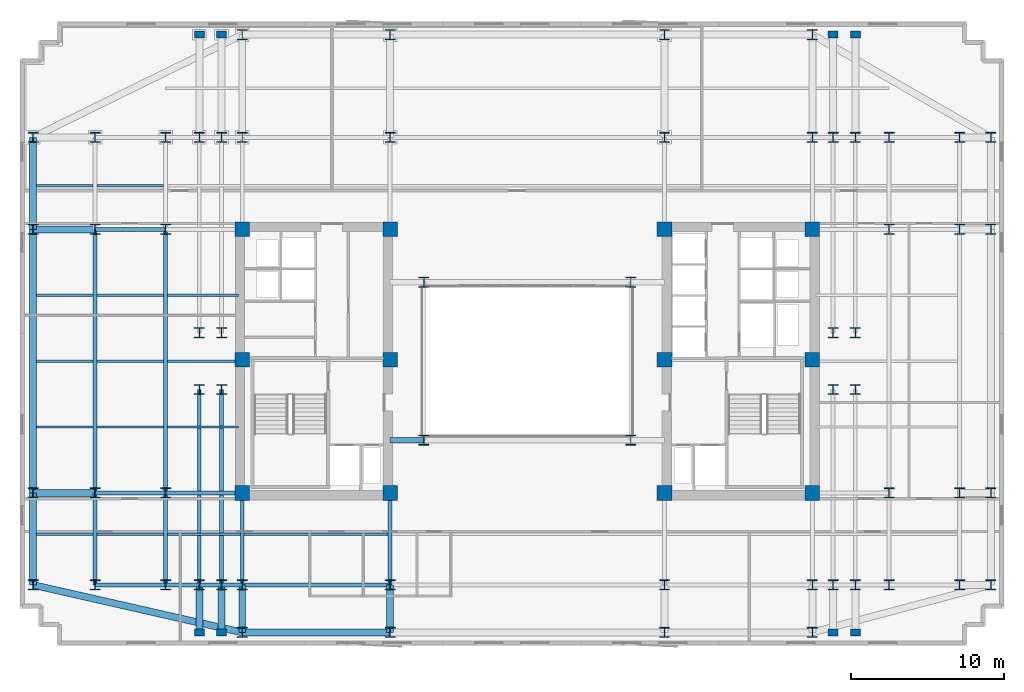
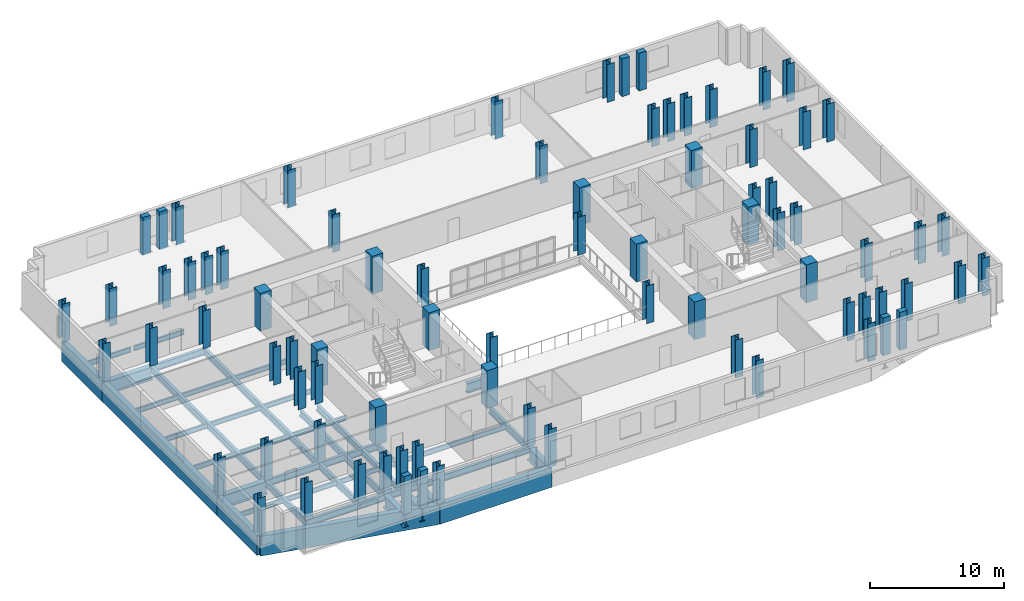
# One storey, part 1 of 12: 80 columns, 41 beams.
"""IFC4 building model written with IfcOpenShell, lengths in metres."""

from ifc_helpers import new_model, si_unit, direction, frame, origin, origin_2d, place, context, subcontext, project, spatial, rectangle, i_section, extrude, material, material_profile, profile_set, type_object, element, save


model = new_model("IFC4")

# Units and contexts
model_context = context("Model", 3, precision=1e-05, world=origin(), true_north=direction((0.0, 1.0)))
body_context = subcontext(model_context, "Body", "Model", "MODEL_VIEW")
ifc_project = project(units=[si_unit("LENGTHUNIT", "METRE"), si_unit("AREAUNIT", "SQUARE_METRE"), si_unit("VOLUMEUNIT", "CUBIC_METRE"), si_unit("PLANEANGLEUNIT", "RADIAN"), si_unit("MASSUNIT", "GRAM", prefix="KILO")], contexts=[model_context])

# Site, building, storey
site_placement = place(None, origin())
site = spatial("IfcSite", under=ifc_project, at=site_placement, CompositionType="ELEMENT")
building_placement = place(site_placement, origin())
building = spatial("IfcBuilding", under=site, at=building_placement, Name="Velakula Bourse", CompositionType="ELEMENT")
storey_placement = place(building_placement, frame((0.0, 0.0, 120.85009765625)))
storey = spatial("IfcBuildingStorey", under=building, at=storey_placement, Name="L32", CompositionType="ELEMENT", Elevation=120.85009765625)

# Columns
ifc_material_1 = material(Name="Concrete M70 (fck 70 MPa)", Category="concrete")
ifc_material_profile_1 = material_profile(ifc_material_1, rectangle(XDim=0.949951171875, YDim=0.949951171875, at=origin_2d()), Name="Concrete M70 (fck 70 MPa)")
ifc_profile_set_1 = profile_set([ifc_material_profile_1], Name="Concrete M70 (fck 70 MPa)")
column_type_1 = type_object("IfcColumnType", Name="COL-RC-950", PredefinedType="COLUMN", material=ifc_profile_set_1)
for number, where, z_axis, x_axis, name in (
    (1, (-8.949951171875, -8.60009765625, 0.0), (0.0, 0.0, 1.0), (1.0, 0.0, 0.0), "L32 Core Boundary Column 01"),
    (2, (-8.949951171875, 0.10009765625, 0.0), (0.0, 0.0, 1.0), (1.0, 0.0, 0.0), "L32 Core Boundary Column 02"),
    (3, (-8.949951171875, 8.60009765625, 0.0), (0.0, 0.0, 1.0), (1.0, 0.0, 0.0), "L32 Core Boundary Column 03"),
    (4, (-18.60009765625, -8.60009765625, 0.0), (0.0, 0.0, 1.0), (1.0, 0.0, 0.0), "L32 Core Boundary Column 04"),
    (5, (-18.60009765625, 0.10009765625, 0.0), (0.0, 0.0, 1.0), (1.0, 0.0, 0.0), "L32 Core Boundary Column 05"),
    (6, (-18.60009765625, 8.60009765625, 0.0), (0.0, 0.0, 1.0), (1.0, 0.0, 0.0), "L32 Core Boundary Column 06"),
    (7, (8.949951171875, -8.60009765625, 0.0), (0.0, 0.0, 1.0), (1.0, 0.0, 0.0), "L32 Core Boundary Column 07"),
    (8, (8.949951171875, 0.10009765625, 0.0), (0.0, 0.0, 1.0), (1.0, 0.0, 0.0), "L32 Core Boundary Column 08"),
    (9, (8.949951171875, 8.60009765625, 0.0), (0.0, 0.0, 1.0), (1.0, 0.0, 0.0), "L32 Core Boundary Column 09"),
    (10, (18.60009765625, -8.60009765625, 0.0), (0.0, 0.0, 1.0), (1.0, 0.0, 0.0), "L32 Core Boundary Column 10"),
    (11, (18.60009765625, 0.10009765625, 0.0), (0.0, 0.0, 1.0), (1.0, 0.0, 0.0), "L32 Core Boundary Column 11"),
    (12, (18.60009765625, 8.60009765625, 0.0), (0.0, 0.0, 1.0), (1.0, 0.0, 0.0), "L32 Core Boundary Column 12"),
):
    element("IfcColumn", number, at=place(storey_placement, frame(where, z_axis=z_axis, x_axis=x_axis)), inside=storey, type_object=column_type_1, Name=name, PredefinedType="COLUMN", context=body_context, shape_type="SweptSolid", body=[
        extrude(rectangle(XDim=0.949951171875, YDim=0.949951171875, at=origin_2d()), origin(), (0.0, 0.0, 1.0), 3.449951171875),
    ])
ifc_material_2 = material(Name="Steel IS 2062 Grade 350 (E350)", Category="steel")
ifc_material_profile_2 = material_profile(ifc_material_2, i_section(OverallWidth=0.64990234375, OverallDepth=0.64990234375, WebThickness=0.028076171875, FlangeThickness=0.0400390625, at=origin_2d()), Name="Steel IS 2062 Grade 350 (E350)")
ifc_profile_set_2 = profile_set([ifc_material_profile_2], Name="Steel IS 2062 Grade 350 (E350)")
column_type_2 = type_object("IfcColumnType", Name="COL-STL-650", PredefinedType="COLUMN", material=ifc_profile_set_2)
for number, where, z_axis, x_axis, name in (
    (13, (-6.75, -5.14990234375, 0.0), (0.0, 0.0, 1.0), (1.0, 0.0, 0.0), "L32 Central Spine Column 01"),
    (14, (-6.75, 5.14990234375, 0.0), (0.0, 0.0, 1.0), (1.0, 0.0, 0.0), "L32 Central Spine Column 02"),
    (15, (6.75, -5.14990234375, 0.0), (0.0, 0.0, 1.0), (1.0, 0.0, 0.0), "L32 Central Spine Column 03"),
    (16, (6.75, 5.14990234375, 0.0), (0.0, 0.0, 1.0), (1.0, 0.0, 0.0), "L32 Central Spine Column 04"),
    (17, (-21.39990234375, -14.60009765625, 0.0), (0.0, 0.0, 1.0), (1.0, 0.0, 0.0), "L32 Tower Fulcrum Column 01"),
    (18, (-21.39990234375, 14.60009765625, 0.0), (0.0, 0.0, 1.0), (1.0, 0.0, 0.0), "L32 Tower Fulcrum Column 02"),
    (19, (-19.949951171875, -14.60009765625, 0.0), (0.0, 0.0, 1.0), (1.0, 0.0, 0.0), "L32 Tower Fulcrum Column 03"),
    (20, (-19.949951171875, 14.60009765625, 0.0), (0.0, 0.0, 1.0), (1.0, 0.0, 0.0), "L32 Tower Fulcrum Column 04"),
    (21, (-18.60009765625, -14.60009765625, 0.0), (0.0, 0.0, 1.0), (1.0, 0.0, 0.0), "L32 Tower Fulcrum Column 05"),
    (22, (-18.60009765625, 14.60009765625, 0.0), (0.0, 0.0, 1.0), (1.0, 0.0, 0.0), "L32 Tower Fulcrum Column 06"),
    (23, (-8.949951171875, -14.60009765625, 0.0), (0.0, 0.0, 1.0), (1.0, 0.0, 0.0), "L32 Tower Fulcrum Column 07"),
    (24, (-8.949951171875, 14.60009765625, 0.0), (0.0, 0.0, 1.0), (1.0, 0.0, 0.0), "L32 Tower Fulcrum Column 08"),
    (25, (8.949951171875, -14.60009765625, 0.0), (0.0, 0.0, 1.0), (1.0, 0.0, 0.0), "L32 Tower Fulcrum Column 09"),
    (26, (8.949951171875, 14.60009765625, 0.0), (0.0, 0.0, 1.0), (1.0, 0.0, 0.0), "L32 Tower Fulcrum Column 10"),
    (27, (18.60009765625, -14.60009765625, 0.0), (0.0, 0.0, 1.0), (1.0, 0.0, 0.0), "L32 Tower Fulcrum Column 11"),
    (28, (18.60009765625, 14.60009765625, 0.0), (0.0, 0.0, 1.0), (1.0, 0.0, 0.0), "L32 Tower Fulcrum Column 12"),
    (29, (19.949951171875, -14.60009765625, 0.0), (0.0, 0.0, 1.0), (1.0, 0.0, 0.0), "L32 Tower Fulcrum Column 13"),
    (30, (19.949951171875, 14.60009765625, 0.0), (0.0, 0.0, 1.0), (1.0, 0.0, 0.0), "L32 Tower Fulcrum Column 14"),
    (31, (21.39990234375, -14.60009765625, 0.0), (0.0, 0.0, 1.0), (1.0, 0.0, 0.0), "L32 Tower Fulcrum Column 15"),
    (32, (21.39990234375, 14.60009765625, 0.0), (0.0, 0.0, 1.0), (1.0, 0.0, 0.0), "L32 Tower Fulcrum Column 16"),
    (33, (-21.39990234375, -1.85009765625, 0.0), (0.0, 0.0, 1.0), (1.0, 0.0, 0.0), "L32 Tower Fulcrum Column 17"),
    (34, (-21.39990234375, 1.85009765625, 0.0), (0.0, 0.0, 1.0), (1.0, 0.0, 0.0), "L32 Tower Fulcrum Column 18"),
    (35, (-19.949951171875, -1.85009765625, 0.0), (0.0, 0.0, 1.0), (1.0, 0.0, 0.0), "L32 Tower Fulcrum Column 19"),
    (36, (-19.949951171875, 1.85009765625, 0.0), (0.0, 0.0, 1.0), (1.0, 0.0, 0.0), "L32 Tower Fulcrum Column 20"),
    (37, (19.949951171875, -1.85009765625, 0.0), (0.0, 0.0, 1.0), (1.0, 0.0, 0.0), "L32 Tower Fulcrum Column 21"),
    (38, (19.949951171875, 1.85009765625, 0.0), (0.0, 0.0, 1.0), (1.0, 0.0, 0.0), "L32 Tower Fulcrum Column 22"),
    (39, (21.39990234375, -1.85009765625, 0.0), (0.0, 0.0, 1.0), (1.0, 0.0, 0.0), "L32 Tower Fulcrum Column 23"),
    (40, (21.39990234375, 1.85009765625, 0.0), (0.0, 0.0, 1.0), (1.0, 0.0, 0.0), "L32 Tower Fulcrum Column 24"),
    (41, (-23.60009765625, -14.60009765625, 0.0), (0.0, 0.0, 1.0), (1.0, 0.0, 0.0), "L32 Mid-Wing Plumb Column 01"),
    (42, (-23.60009765625, -8.60009765625, 0.0), (0.0, 0.0, 1.0), (1.0, 0.0, 0.0), "L32 Mid-Wing Plumb Column 02"),
    (43, (-23.60009765625, 8.60009765625, 0.0), (0.0, 0.0, 1.0), (1.0, 0.0, 0.0), "L32 Mid-Wing Plumb Column 03"),
    (44, (-23.60009765625, 14.60009765625, 0.0), (0.0, 0.0, 1.0), (1.0, 0.0, 0.0), "L32 Mid-Wing Plumb Column 04"),
    (45, (23.60009765625, -14.60009765625, 0.0), (0.0, 0.0, 1.0), (1.0, 0.0, 0.0), "L32 Mid-Wing Plumb Column 05"),
    (46, (23.60009765625, -8.60009765625, 0.0), (0.0, 0.0, 1.0), (1.0, 0.0, 0.0), "L32 Mid-Wing Plumb Column 06"),
    (47, (23.60009765625, 8.60009765625, 0.0), (0.0, 0.0, 1.0), (1.0, 0.0, 0.0), "L32 Mid-Wing Plumb Column 07"),
    (48, (23.60009765625, 14.60009765625, 0.0), (0.0, 0.0, 1.0), (1.0, 0.0, 0.0), "L32 Mid-Wing Plumb Column 08"),
    (49, (-28.199951171875, -14.60009765625, 0.0), (0.0, 0.0, 1.0), (1.0, 0.0, 0.0), "L32 Lower Wing Column 01"),
    (50, (-28.199951171875, -8.60009765625, 0.0), (0.0, 0.0, 1.0), (1.0, 0.0, 0.0), "L32 Lower Wing Column 02"),
    (51, (-28.199951171875, 8.60009765625, 0.0), (0.0, 0.0, 1.0), (1.0, 0.0, 0.0), "L32 Lower Wing Column 03"),
    (52, (-28.199951171875, 14.60009765625, 0.0), (0.0, 0.0, 1.0), (1.0, 0.0, 0.0), "L32 Lower Wing Column 04"),
    (53, (28.199951171875, -14.60009765625, 0.0), (0.0, 0.0, 1.0), (1.0, 0.0, 0.0), "L32 Lower Wing Column 05"),
    (54, (28.199951171875, -8.60009765625, 0.0), (0.0, 0.0, 1.0), (1.0, 0.0, 0.0), "L32 Lower Wing Column 06"),
    (55, (28.199951171875, 8.60009765625, 0.0), (0.0, 0.0, 1.0), (1.0, 0.0, 0.0), "L32 Lower Wing Column 07"),
    (56, (28.199951171875, 14.60009765625, 0.0), (0.0, 0.0, 1.0), (1.0, 0.0, 0.0), "L32 Lower Wing Column 08"),
    (57, (-18.60009765625, -17.699951171875, 0.0), (0.0, 0.0, 1.0), (1.0, 0.0, 0.0), "L32 Block B3 Perimeter Column S1"),
    (58, (-8.949951171875, -17.699951171875, 0.0), (0.0, 0.0, 1.0), (1.0, 0.0, 0.0), "L32 Block B3 Perimeter Column S2"),
    (59, (8.949951171875, -17.699951171875, 0.0), (0.0, 0.0, 1.0), (1.0, 0.0, 0.0), "L32 Block B3 Perimeter Column S3"),
    (60, (18.60009765625, -17.699951171875, 0.0), (0.0, 0.0, 1.0), (1.0, 0.0, 0.0), "L32 Block B3 Perimeter Column S4"),
    (61, (-18.60009765625, 21.300048828125, 0.0), (0.0, 0.0, 1.0), (1.0, 0.0, 0.0), "L32 Block B3 Perimeter Column N1"),
    (62, (-8.949951171875, 21.300048828125, 0.0), (0.0, 0.0, 1.0), (1.0, 0.0, 0.0), "L32 Block B3 Perimeter Column N2"),
    (63, (8.949951171875, 21.300048828125, 0.0), (0.0, 0.0, 1.0), (1.0, 0.0, 0.0), "L32 Block B3 Perimeter Column N3"),
    (64, (18.60009765625, 21.300048828125, 0.0), (0.0, 0.0, 1.0), (1.0, 0.0, 0.0), "L32 Block B3 Perimeter Column N4"),
    (65, (-32.25, -14.60009765625, 0.0), (0.0, 0.0, 1.0), (1.0, 0.0, 0.0), "L32 Block B3 Perimeter Column W1"),
    (66, (-32.25, -8.60009765625, 0.0), (0.0, 0.0, 1.0), (1.0, 0.0, 0.0), "L32 Block B3 Perimeter Column W2"),
    (67, (-32.25, 8.60009765625, 0.0), (0.0, 0.0, 1.0), (1.0, 0.0, 0.0), "L32 Block B3 Perimeter Column W3"),
    (68, (-32.25, 14.60009765625, 0.0), (0.0, 0.0, 1.0), (1.0, 0.0, 0.0), "L32 Block B3 Perimeter Column W4"),
    (69, (30.25, -14.60009765625, 0.0), (0.0, 0.0, 1.0), (1.0, 0.0, 0.0), "L32 Block B3 Perimeter Column E1"),
    (70, (30.25, -8.60009765625, 0.0), (0.0, 0.0, 1.0), (1.0, 0.0, 0.0), "L32 Block B3 Perimeter Column E2"),
    (71, (30.25, 8.60009765625, 0.0), (0.0, 0.0, 1.0), (1.0, 0.0, 0.0), "L32 Block B3 Perimeter Column E3"),
    (72, (30.25, 14.60009765625, 0.0), (0.0, 0.0, 1.0), (1.0, 0.0, 0.0), "L32 Block B3 Perimeter Column E4"),
):
    element("IfcColumn", number, at=place(storey_placement, frame(where, z_axis=z_axis, x_axis=x_axis)), inside=storey, type_object=column_type_2, Name=name, PredefinedType="COLUMN", context=body_context, shape_type="SweptSolid", body=[
        extrude(i_section(OverallWidth=0.64990234375, OverallDepth=0.64990234375, WebThickness=0.028076171875, FlangeThickness=0.0400390625, at=origin_2d()), origin(), (0.0, 0.0, 1.0), 3.449951171875),
    ])
ifc_material_3 = material(Name="Precast concrete M45 (fck 45 MPa)", Category="concrete")
ifc_material_profile_3 = material_profile(ifc_material_3, rectangle(XDim=0.64990234375, YDim=0.449951171875, at=origin_2d()), Name="Precast concrete M45 (fck 45 MPa)")
ifc_profile_set_3 = profile_set([ifc_material_profile_3], Name="Precast concrete M45 (fck 45 MPa)")
column_type_3 = type_object("IfcColumnType", Name="PIL-BRICK-650", PredefinedType="PILASTER", material=ifc_profile_set_3)
for number, where, z_axis, x_axis, name in (
    (73, (-21.39990234375, -17.699951171875, 0.0), (0.0, 0.0, 1.0), (1.0, 0.0, 0.0), "L32 Brick Pier Pilaster 01"),
    (74, (-19.949951171875, -17.699951171875, 0.0), (0.0, 0.0, 1.0), (1.0, 0.0, 0.0), "L32 Brick Pier Pilaster 02"),
    (75, (19.949951171875, -17.699951171875, 0.0), (0.0, 0.0, 1.0), (1.0, 0.0, 0.0), "L32 Brick Pier Pilaster 03"),
    (76, (21.39990234375, -17.699951171875, 0.0), (0.0, 0.0, 1.0), (1.0, 0.0, 0.0), "L32 Brick Pier Pilaster 04"),
    (77, (-21.39990234375, 21.300048828125, 0.0), (0.0, 0.0, 1.0), (1.0, 0.0, 0.0), "L32 Brick Pier Pilaster 05"),
    (78, (-19.949951171875, 21.300048828125, 0.0), (0.0, 0.0, 1.0), (1.0, 0.0, 0.0), "L32 Brick Pier Pilaster 06"),
    (79, (19.949951171875, 21.300048828125, 0.0), (0.0, 0.0, 1.0), (1.0, 0.0, 0.0), "L32 Brick Pier Pilaster 07"),
    (80, (21.39990234375, 21.300048828125, 0.0), (0.0, 0.0, 1.0), (1.0, 0.0, 0.0), "L32 Brick Pier Pilaster 08"),
):
    element("IfcColumn", number, at=place(storey_placement, frame(where, z_axis=z_axis, x_axis=x_axis)), inside=storey, type_object=column_type_3, Name=name, PredefinedType="PILASTER", context=body_context, shape_type="SweptSolid", body=[
        extrude(rectangle(XDim=0.64990234375, YDim=0.449951171875, at=origin_2d()), origin(), (0.0, 0.0, 1.0), 3.449951171875),
    ])

# Beams
ifc_material_profile_4 = material_profile(ifc_material_2, i_section(OverallWidth=0.25, OverallDepth=0.60009765625, WebThickness=0.01123046875, FlangeThickness=0.021240234375, at=origin_2d()), Name="Steel IS 2062 Grade 350 (E350)")
ifc_profile_set_4 = profile_set([ifc_material_profile_4], Name="Steel IS 2062 Grade 350 (E350)")
beam_type_1 = type_object("IfcBeamType", Name="BM-GRD-600M", PredefinedType="BEAM", material=ifc_profile_set_4)
for number, where, z_axis, x_axis, name in (
    (81, (-18.60009765625, -14.60009765625, -0.47998046875), (0.0, 1.0, 0.0), (-1.0, 0.0, 0.0), "L32 Fulcrum Grid Girder FLC-WS"),
    (82, (-8.949951171875, -14.60009765625, -0.47998046875), (0.0, 1.0, 0.0), (-1.0, 0.0, 0.0), "L32 Fulcrum Grid Girder FLC-WCS"),
):
    element("IfcBeam", number, at=place(storey_placement, frame(where, z_axis=z_axis, x_axis=x_axis)), inside=storey, type_object=beam_type_1, Name=name, PredefinedType="BEAM", context=body_context, shape_type="SweptSolid", body=[
        extrude(i_section(OverallWidth=0.25, OverallDepth=0.60009765625, WebThickness=0.01123046875, FlangeThickness=0.021240234375, at=origin_2d()), origin(), (0.0, 0.0, 1.0), 6.0),
    ])
beam_1_placement = place(storey_placement, frame((-18.60009765625, -14.60009765625, -0.47998046875), z_axis=(1.0, 0.0, 0.0), x_axis=(0.0, 1.0, 0.0)))
element("IfcBeam", 83, at=beam_1_placement, inside=storey, type_object=beam_type_1, Name="L32 Fulcrum Grid Girder FLC-S1", PredefinedType="BEAM", context=body_context, shape_type="SweptSolid", body=[
    extrude(i_section(OverallWidth=0.25, OverallDepth=0.60009765625, WebThickness=0.01123046875, FlangeThickness=0.021240234375, at=origin_2d()), origin(), (0.0, 0.0, 1.0), 9.650146484375),
])
for number, where, z_axis, x_axis, name in (
    (84, (-21.39990234375, -14.60009765625, -0.47998046875), (0.0, 1.0, 0.0), (-1.0, 0.0, 0.0), "L32 Fulcrum Grid Girder FLC-PSW1"),
    (85, (-19.949951171875, -14.60009765625, -0.47998046875), (0.0, 1.0, 0.0), (-1.0, 0.0, 0.0), "L32 Fulcrum Grid Girder FLC-PSW2"),
):
    element("IfcBeam", number, at=place(storey_placement, frame(where, z_axis=z_axis, x_axis=x_axis)), inside=storey, type_object=beam_type_1, Name=name, PredefinedType="BEAM", context=body_context, shape_type="SweptSolid", body=[
        extrude(i_section(OverallWidth=0.25, OverallDepth=0.60009765625, WebThickness=0.01123046875, FlangeThickness=0.021240234375, at=origin_2d()), origin(), (0.0, 0.0, 1.0), 12.75),
    ])
for number, where, z_axis, x_axis, name in (
    (86, (-23.60009765625, -14.60009765625, -0.47998046875), (1.0, 0.0, 0.0), (0.0, 1.0, 0.0), "L32 Fulcrum Grid Girder MWG-WS1"),
    (87, (-23.60009765625, -8.60009765625, -0.47998046875), (1.0, 0.0, 0.0), (0.0, 1.0, 0.0), "L32 Fulcrum Grid Girder MWG-WS2"),
):
    element("IfcBeam", number, at=place(storey_placement, frame(where, z_axis=z_axis, x_axis=x_axis)), inside=storey, type_object=beam_type_1, Name=name, PredefinedType="BEAM", context=body_context, shape_type="SweptSolid", body=[
        extrude(i_section(OverallWidth=0.25, OverallDepth=0.60009765625, WebThickness=0.01123046875, FlangeThickness=0.021240234375, at=origin_2d()), origin(), (0.0, 0.0, 1.0), 5.0),
    ])
beam_2_placement = place(storey_placement, frame((-23.60009765625, -14.60009765625, -0.47998046875), z_axis=(0.0, 1.0, 0.0), x_axis=(-1.0, 0.0, 0.0)))
element("IfcBeam", 88, at=beam_2_placement, inside=storey, type_object=beam_type_1, Name="L32 Fulcrum Grid Girder MWG-WNS1", PredefinedType="BEAM", context=body_context, shape_type="SweptSolid", body=[
    extrude(i_section(OverallWidth=0.25, OverallDepth=0.60009765625, WebThickness=0.01123046875, FlangeThickness=0.021240234375, at=origin_2d()), origin(), (0.0, 0.0, 1.0), 6.0),
])
beam_3_placement = place(storey_placement, frame((-23.60009765625, -8.60009765625, -0.47998046875), z_axis=(0.0, 1.0, 0.0), x_axis=(-1.0, 0.0, 0.0)))
element("IfcBeam", 89, at=beam_3_placement, inside=storey, type_object=beam_type_1, Name="L32 Fulcrum Grid Girder MWG-WNS2", PredefinedType="BEAM", context=body_context, shape_type="SweptSolid", body=[
    extrude(i_section(OverallWidth=0.25, OverallDepth=0.60009765625, WebThickness=0.01123046875, FlangeThickness=0.021240234375, at=origin_2d()), origin(), (0.0, 0.0, 1.0), 17.2001953125),
])
for number, where, z_axis, x_axis, name in (
    (90, (-28.199951171875, -14.60009765625, -0.47998046875), (1.0, 0.0, 0.0), (0.0, 1.0, 0.0), "L32 Fulcrum Grid Girder WNG-WS1"),
    (91, (-28.199951171875, -8.60009765625, -0.47998046875), (1.0, 0.0, 0.0), (0.0, 1.0, 0.0), "L32 Fulcrum Grid Girder WNG-WS2"),
    (92, (-28.199951171875, 8.60009765625, -0.47998046875), (1.0, 0.0, 0.0), (0.0, 1.0, 0.0), "L32 Fulcrum Grid Girder WNG-WN1"),
):
    element("IfcBeam", number, at=place(storey_placement, frame(where, z_axis=z_axis, x_axis=x_axis)), inside=storey, type_object=beam_type_1, Name=name, PredefinedType="BEAM", context=body_context, shape_type="SweptSolid", body=[
        extrude(i_section(OverallWidth=0.25, OverallDepth=0.60009765625, WebThickness=0.01123046875, FlangeThickness=0.021240234375, at=origin_2d()), origin(), (0.0, 0.0, 1.0), 4.599853515625),
    ])
beam_4_placement = place(storey_placement, frame((-28.199951171875, -14.60009765625, -0.47998046875), z_axis=(0.0, 1.0, 0.0), x_axis=(-1.0, 0.0, 0.0)))
element("IfcBeam", 93, at=beam_4_placement, inside=storey, type_object=beam_type_1, Name="L32 Fulcrum Grid Girder WNG-WNS1", PredefinedType="BEAM", context=body_context, shape_type="SweptSolid", body=[
    extrude(i_section(OverallWidth=0.25, OverallDepth=0.60009765625, WebThickness=0.01123046875, FlangeThickness=0.021240234375, at=origin_2d()), origin(), (0.0, 0.0, 1.0), 6.0),
])
beam_5_placement = place(storey_placement, frame((-28.199951171875, -8.60009765625, -0.47998046875), z_axis=(0.0, 1.0, 0.0), x_axis=(-1.0, 0.0, 0.0)))
element("IfcBeam", 94, at=beam_5_placement, inside=storey, type_object=beam_type_1, Name="L32 Fulcrum Grid Girder WNG-WNS2", PredefinedType="BEAM", context=body_context, shape_type="SweptSolid", body=[
    extrude(i_section(OverallWidth=0.25, OverallDepth=0.60009765625, WebThickness=0.01123046875, FlangeThickness=0.021240234375, at=origin_2d()), origin(), (0.0, 0.0, 1.0), 17.2001953125),
])
ifc_material_profile_5 = material_profile(ifc_material_2, i_section(OverallWidth=0.35009765625, OverallDepth=0.89990234375, WebThickness=0.02001953125, FlangeThickness=0.031982421875, at=origin_2d()), Name="Steel IS 2062 Grade 350 (E350)")
ifc_profile_set_5 = profile_set([ifc_material_profile_5], Name="Steel IS 2062 Grade 350 (E350)")
beam_type_2 = type_object("IfcBeamType", Name="BM-LNK-900", PredefinedType="BEAM", material=ifc_profile_set_5)
beam_6_placement = place(storey_placement, frame((-8.949951171875, -5.14990234375, -0.630126953125), z_axis=(1.0, 0.0, 0.0), x_axis=(0.0, 1.0, 0.0)))
element("IfcBeam", 95, at=beam_6_placement, inside=storey, type_object=beam_type_2, Name="L32 Primary Backbone Girder LNK-S1", PredefinedType="BEAM", context=body_context, shape_type="SweptSolid", body=[
    extrude(i_section(OverallWidth=0.35009765625, OverallDepth=0.89990234375, WebThickness=0.02001953125, FlangeThickness=0.031982421875, at=origin_2d()), origin(), (0.0, 0.0, 1.0), 2.199951171875),
])
ifc_material_profile_6 = material_profile(ifc_material_2, i_section(OverallWidth=0.14990234375, OverallDepth=0.449951171875, WebThickness=0.009521484375, FlangeThickness=0.017333984375, at=origin_2d()), Name="Steel IS 2062 Grade 350 (E350)")
ifc_profile_set_6 = profile_set([ifc_material_profile_6], Name="Steel IS 2062 Grade 350 (E350)")
beam_type_3 = type_object("IfcBeamType", Name="JST-TWR-450", PredefinedType="JOIST", material=ifc_profile_set_6)
beam_7_placement = place(storey_placement, frame((-32.02490234375, -11.300048828125, -0.405029296875), z_axis=(1.0, 0.0, 0.0), x_axis=(0.0, 1.0, 0.0)))
element("IfcBeam", 96, at=beam_7_placement, inside=storey, type_object=beam_type_3, Name="L32 Trading Floor Composite Joist 01", PredefinedType="JOIST", context=body_context, shape_type="SweptSolid", body=[
    extrude(i_section(OverallWidth=0.14990234375, OverallDepth=0.449951171875, WebThickness=0.009521484375, FlangeThickness=0.017333984375, at=origin_2d()), origin(), (0.0, 0.0, 1.0), 3.699951171875),
])
beam_8_placement = place(storey_placement, frame((-28.074951171875, -11.300048828125, -0.405029296875), z_axis=(1.0, 0.0, 0.0), x_axis=(0.0, 1.0, 0.0)))
element("IfcBeam", 97, at=beam_8_placement, inside=storey, type_object=beam_type_3, Name="L32 Trading Floor Composite Joist 02", PredefinedType="JOIST", context=body_context, shape_type="SweptSolid", body=[
    extrude(i_section(OverallWidth=0.14990234375, OverallDepth=0.449951171875, WebThickness=0.009521484375, FlangeThickness=0.017333984375, at=origin_2d()), origin(), (0.0, 0.0, 1.0), 4.349853515625),
])
beam_9_placement = place(storey_placement, frame((-23.47509765625, -11.300048828125, -0.405029296875), z_axis=(1.0, 0.0, 0.0), x_axis=(0.0, 1.0, 0.0)))
element("IfcBeam", 98, at=beam_9_placement, inside=storey, type_object=beam_type_3, Name="L32 Trading Floor Composite Joist 03", PredefinedType="JOIST", context=body_context, shape_type="SweptSolid", body=[
    extrude(i_section(OverallWidth=0.14990234375, OverallDepth=0.449951171875, WebThickness=0.009521484375, FlangeThickness=0.017333984375, at=origin_2d()), origin(), (0.0, 0.0, 1.0), 4.75),
])
beam_10_placement = place(storey_placement, frame((-18.47509765625, -11.300048828125, -0.405029296875), z_axis=(1.0, 0.0, 0.0), x_axis=(0.0, 1.0, 0.0)))
element("IfcBeam", 99, at=beam_10_placement, inside=storey, type_object=beam_type_3, Name="L32 Trading Floor Composite Joist 04", PredefinedType="JOIST", context=body_context, shape_type="SweptSolid", body=[
    extrude(i_section(OverallWidth=0.14990234375, OverallDepth=0.449951171875, WebThickness=0.009521484375, FlangeThickness=0.017333984375, at=origin_2d()), origin(), (0.0, 0.0, 1.0), 9.400146484375),
])
beam_11_placement = place(storey_placement, frame((-32.02490234375, 11.449951171875, -0.405029296875), z_axis=(1.0, 0.0, 0.0), x_axis=(0.0, 1.0, 0.0)))
element("IfcBeam", 100, at=beam_11_placement, inside=storey, type_object=beam_type_3, Name="L32 Trading Floor Composite Joist 09", PredefinedType="JOIST", context=body_context, shape_type="SweptSolid", body=[
    extrude(i_section(OverallWidth=0.14990234375, OverallDepth=0.449951171875, WebThickness=0.009521484375, FlangeThickness=0.017333984375, at=origin_2d()), origin(), (0.0, 0.0, 1.0), 3.699951171875),
])
beam_12_placement = place(storey_placement, frame((-28.074951171875, 11.449951171875, -0.405029296875), z_axis=(1.0, 0.0, 0.0), x_axis=(0.0, 1.0, 0.0)))
element("IfcBeam", 101, at=beam_12_placement, inside=storey, type_object=beam_type_3, Name="L32 Trading Floor Composite Joist 10", PredefinedType="JOIST", context=body_context, shape_type="SweptSolid", body=[
    extrude(i_section(OverallWidth=0.14990234375, OverallDepth=0.449951171875, WebThickness=0.009521484375, FlangeThickness=0.017333984375, at=origin_2d()), origin(), (0.0, 0.0, 1.0), 4.349853515625),
])
beam_13_placement = place(storey_placement, frame((-32.02490234375, -4.300048828125, -0.405029296875), z_axis=(1.0, 0.0, 0.0), x_axis=(0.0, 1.0, 0.0)))
element("IfcBeam", 102, at=beam_13_placement, inside=storey, type_object=beam_type_3, Name="L32 Trading Floor Composite Joist 25", PredefinedType="JOIST", context=body_context, shape_type="SweptSolid", body=[
    extrude(i_section(OverallWidth=0.14990234375, OverallDepth=0.449951171875, WebThickness=0.009521484375, FlangeThickness=0.017333984375, at=origin_2d()), origin(), (0.0, 0.0, 1.0), 3.699951171875),
])
beam_14_placement = place(storey_placement, frame((-28.074951171875, -4.300048828125, -0.405029296875), z_axis=(1.0, 0.0, 0.0), x_axis=(0.0, 1.0, 0.0)))
element("IfcBeam", 103, at=beam_14_placement, inside=storey, type_object=beam_type_3, Name="L32 Trading Floor Composite Joist 26", PredefinedType="JOIST", context=body_context, shape_type="SweptSolid", body=[
    extrude(i_section(OverallWidth=0.14990234375, OverallDepth=0.449951171875, WebThickness=0.009521484375, FlangeThickness=0.017333984375, at=origin_2d()), origin(), (0.0, 0.0, 1.0), 4.349853515625),
])
beam_15_placement = place(storey_placement, frame((-23.47509765625, -4.300048828125, -0.405029296875), z_axis=(1.0, 0.0, 0.0), x_axis=(0.0, 1.0, 0.0)))
element("IfcBeam", 104, at=beam_15_placement, inside=storey, type_object=beam_type_3, Name="L32 Trading Floor Composite Joist 27", PredefinedType="JOIST", context=body_context, shape_type="SweptSolid", body=[
    extrude(i_section(OverallWidth=0.14990234375, OverallDepth=0.449951171875, WebThickness=0.009521484375, FlangeThickness=0.017333984375, at=origin_2d()), origin(), (0.0, 0.0, 1.0), 4.625),
])
beam_16_placement = place(storey_placement, frame((-32.02490234375, 0.0, -0.405029296875), z_axis=(1.0, 0.0, 0.0), x_axis=(0.0, 1.0, 0.0)))
element("IfcBeam", 105, at=beam_16_placement, inside=storey, type_object=beam_type_3, Name="L32 Trading Floor Composite Joist 30", PredefinedType="JOIST", context=body_context, shape_type="SweptSolid", body=[
    extrude(i_section(OverallWidth=0.14990234375, OverallDepth=0.449951171875, WebThickness=0.009521484375, FlangeThickness=0.017333984375, at=origin_2d()), origin(), (0.0, 0.0, 1.0), 3.699951171875),
])
beam_17_placement = place(storey_placement, frame((-28.074951171875, 0.0, -0.405029296875), z_axis=(1.0, 0.0, 0.0), x_axis=(0.0, 1.0, 0.0)))
element("IfcBeam", 106, at=beam_17_placement, inside=storey, type_object=beam_type_3, Name="L32 Trading Floor Composite Joist 31", PredefinedType="JOIST", context=body_context, shape_type="SweptSolid", body=[
    extrude(i_section(OverallWidth=0.14990234375, OverallDepth=0.449951171875, WebThickness=0.009521484375, FlangeThickness=0.017333984375, at=origin_2d()), origin(), (0.0, 0.0, 1.0), 4.349853515625),
])
beam_18_placement = place(storey_placement, frame((-23.47509765625, 0.0, -0.405029296875), z_axis=(1.0, 0.0, 0.0), x_axis=(0.0, 1.0, 0.0)))
element("IfcBeam", 107, at=beam_18_placement, inside=storey, type_object=beam_type_3, Name="L32 Trading Floor Composite Joist 32", PredefinedType="JOIST", context=body_context, shape_type="SweptSolid", body=[
    extrude(i_section(OverallWidth=0.14990234375, OverallDepth=0.449951171875, WebThickness=0.009521484375, FlangeThickness=0.017333984375, at=origin_2d()), origin(), (0.0, 0.0, 1.0), 4.625),
])
beam_19_placement = place(storey_placement, frame((-32.02490234375, 4.300048828125, -0.405029296875), z_axis=(1.0, 0.0, 0.0), x_axis=(0.0, 1.0, 0.0)))
element("IfcBeam", 108, at=beam_19_placement, inside=storey, type_object=beam_type_3, Name="L32 Trading Floor Composite Joist 35", PredefinedType="JOIST", context=body_context, shape_type="SweptSolid", body=[
    extrude(i_section(OverallWidth=0.14990234375, OverallDepth=0.449951171875, WebThickness=0.009521484375, FlangeThickness=0.017333984375, at=origin_2d()), origin(), (0.0, 0.0, 1.0), 3.699951171875),
])
beam_20_placement = place(storey_placement, frame((-28.074951171875, 4.300048828125, -0.405029296875), z_axis=(1.0, 0.0, 0.0), x_axis=(0.0, 1.0, 0.0)))
element("IfcBeam", 109, at=beam_20_placement, inside=storey, type_object=beam_type_3, Name="L32 Trading Floor Composite Joist 36", PredefinedType="JOIST", context=body_context, shape_type="SweptSolid", body=[
    extrude(i_section(OverallWidth=0.14990234375, OverallDepth=0.449951171875, WebThickness=0.009521484375, FlangeThickness=0.017333984375, at=origin_2d()), origin(), (0.0, 0.0, 1.0), 4.349853515625),
])
beam_21_placement = place(storey_placement, frame((-23.47509765625, 4.300048828125, -0.405029296875), z_axis=(1.0, 0.0, 0.0), x_axis=(0.0, 1.0, 0.0)))
element("IfcBeam", 110, at=beam_21_placement, inside=storey, type_object=beam_type_3, Name="L32 Trading Floor Composite Joist 37", PredefinedType="JOIST", context=body_context, shape_type="SweptSolid", body=[
    extrude(i_section(OverallWidth=0.14990234375, OverallDepth=0.449951171875, WebThickness=0.009521484375, FlangeThickness=0.017333984375, at=origin_2d()), origin(), (0.0, 0.0, 1.0), 4.625),
])
ifc_material_4 = material(Name="Concrete M50 (fck 50 MPa)", Category="concrete")
ifc_material_profile_7 = material_profile(ifc_material_4, rectangle(XDim=0.449951171875, YDim=1.800048828125, at=origin_2d()), Name="Concrete M50 (fck 50 MPa)")
ifc_profile_set_7 = profile_set([ifc_material_profile_7], Name="Concrete M50 (fck 50 MPa)")
beam_type_4 = type_object("IfcBeamType", Name="SPN-TRF-1800", PredefinedType="SPANDREL", material=ifc_profile_set_7)
beam_22_placement = place(storey_placement, frame((-18.60009765625, -17.699951171875, -1.080078125), z_axis=(1.0, 0.0, 0.0), x_axis=(0.0, 1.0, 0.0)))
element("IfcBeam", 111, at=beam_22_placement, inside=storey, type_object=beam_type_4, Name="L32 Brick-Faced Precast Spandrel S1-S2", PredefinedType="SPANDREL", context=body_context, shape_type="SweptSolid", body=[
    extrude(rectangle(XDim=0.449951171875, YDim=1.800048828125, at=origin_2d()), origin(), (0.0, 0.0, 1.0), 9.650146484375),
])
beam_23_placement = place(storey_placement, frame((-32.25, -14.60009765625, -1.080078125), z_axis=(0.0, 1.0, 0.0), x_axis=(-1.0, 0.0, 0.0)))
element("IfcBeam", 112, at=beam_23_placement, inside=storey, type_object=beam_type_4, Name="L32 Brick-Faced Precast Spandrel W1-W2", PredefinedType="SPANDREL", context=body_context, shape_type="SweptSolid", body=[
    extrude(rectangle(XDim=0.449951171875, YDim=1.800048828125, at=origin_2d()), origin(), (0.0, 0.0, 1.0), 6.0),
])
beam_24_placement = place(storey_placement, frame((-32.25, -8.60009765625, -1.080078125), z_axis=(0.0, 1.0, 0.0), x_axis=(-1.0, 0.0, 0.0)))
element("IfcBeam", 113, at=beam_24_placement, inside=storey, type_object=beam_type_4, Name="L32 Brick-Faced Precast Spandrel W2-W3", PredefinedType="SPANDREL", context=body_context, shape_type="SweptSolid", body=[
    extrude(rectangle(XDim=0.449951171875, YDim=1.800048828125, at=origin_2d()), origin(), (0.0, 0.0, 1.0), 17.2001953125),
])
beam_25_placement = place(storey_placement, frame((-32.25, 8.60009765625, -1.080078125), z_axis=(0.0, 1.0, 0.0), x_axis=(-1.0, 0.0, 0.0)))
element("IfcBeam", 114, at=beam_25_placement, inside=storey, type_object=beam_type_4, Name="L32 Brick-Faced Precast Spandrel W3-W4", PredefinedType="SPANDREL", context=body_context, shape_type="SweptSolid", body=[
    extrude(rectangle(XDim=0.449951171875, YDim=1.800048828125, at=origin_2d()), origin(), (0.0, 0.0, 1.0), 6.0),
])
beam_26_placement = place(storey_placement, frame((-32.25, -14.60009765625, -1.080078125), z_axis=(0.975169850292, -0.221458264875, 0.0), x_axis=(0.221458264875, 0.975169850292, 0.0)))
element("IfcBeam", 115, at=beam_26_placement, inside=storey, type_object=beam_type_4, Name="L32 Brick-Faced Precast Spandrel W1-S1", PredefinedType="SPANDREL", context=body_context, shape_type="SweptSolid", body=[
    extrude(rectangle(XDim=0.449951171875, YDim=1.800048828125, at=origin_2d()), origin(), (0.0, 0.0, 1.0), 13.99755859375),
])
ifc_material_5 = material(Name="Steel IS 2062 Grade 450 (E450)", Category="steel")
ifc_material_profile_8 = material_profile(ifc_material_5, i_section(OverallWidth=0.449951171875, OverallDepth=1.199951171875, WebThickness=0.02587890625, FlangeThickness=0.0400390625, at=origin_2d()), Name="Steel IS 2062 Grade 450 (E450)")
ifc_profile_set_8 = profile_set([ifc_material_profile_8], Name="Steel IS 2062 Grade 450 (E450)")
beam_type_5 = type_object("IfcBeamType", Name="TB-CANT-1200", PredefinedType="BEAM", material=ifc_profile_set_8)
for number, where, z_axis, x_axis, name in (
    (116, (-18.60009765625, -14.60009765625, -0.780029296875), (0.0, -1.0, 0.0), (1.0, 0.0, 0.0), "L32 Perimeter Tie Girder S1"),
    (117, (-8.949951171875, -14.60009765625, -0.780029296875), (0.0, -1.0, 0.0), (1.0, 0.0, 0.0), "L32 Perimeter Tie Girder S2"),
):
    element("IfcBeam", number, at=place(storey_placement, frame(where, z_axis=z_axis, x_axis=x_axis)), inside=storey, type_object=beam_type_5, Name=name, PredefinedType="BEAM", context=body_context, shape_type="SweptSolid", body=[
        extrude(i_section(OverallWidth=0.449951171875, OverallDepth=1.199951171875, WebThickness=0.02587890625, FlangeThickness=0.0400390625, at=origin_2d()), origin(), (0.0, 0.0, 1.0), 3.099853515625),
    ])
for number, where, z_axis, x_axis, name in (
    (118, (-28.199951171875, -8.60009765625, -0.780029296875), (-1.0, 0.0, 0.0), (0.0, -1.0, 0.0), "L32 Perimeter Tie Girder W2"),
    (119, (-28.199951171875, 8.60009765625, -0.780029296875), (-1.0, 0.0, 0.0), (0.0, -1.0, 0.0), "L32 Perimeter Tie Girder W3"),
):
    element("IfcBeam", number, at=place(storey_placement, frame(where, z_axis=z_axis, x_axis=x_axis)), inside=storey, type_object=beam_type_5, Name=name, PredefinedType="BEAM", context=body_context, shape_type="SweptSolid", body=[
        extrude(i_section(OverallWidth=0.449951171875, OverallDepth=1.199951171875, WebThickness=0.02587890625, FlangeThickness=0.0400390625, at=origin_2d()), origin(), (0.0, 0.0, 1.0), 4.050048828125),
    ])
for number, where, z_axis, x_axis, name in (
    (120, (-21.39990234375, -14.60009765625, -0.780029296875), (0.0, -1.0, 0.0), (1.0, 0.0, 0.0), "L32 Perimeter Tie Girder P01"),
    (121, (-19.949951171875, -14.60009765625, -0.780029296875), (0.0, -1.0, 0.0), (1.0, 0.0, 0.0), "L32 Perimeter Tie Girder P02"),
):
    element("IfcBeam", number, at=place(storey_placement, frame(where, z_axis=z_axis, x_axis=x_axis)), inside=storey, type_object=beam_type_5, Name=name, PredefinedType="BEAM", context=body_context, shape_type="SweptSolid", body=[
        extrude(i_section(OverallWidth=0.449951171875, OverallDepth=1.199951171875, WebThickness=0.02587890625, FlangeThickness=0.0400390625, at=origin_2d()), origin(), (0.0, 0.0, 1.0), 3.099853515625),
    ])

save(model, "model.ifc")
